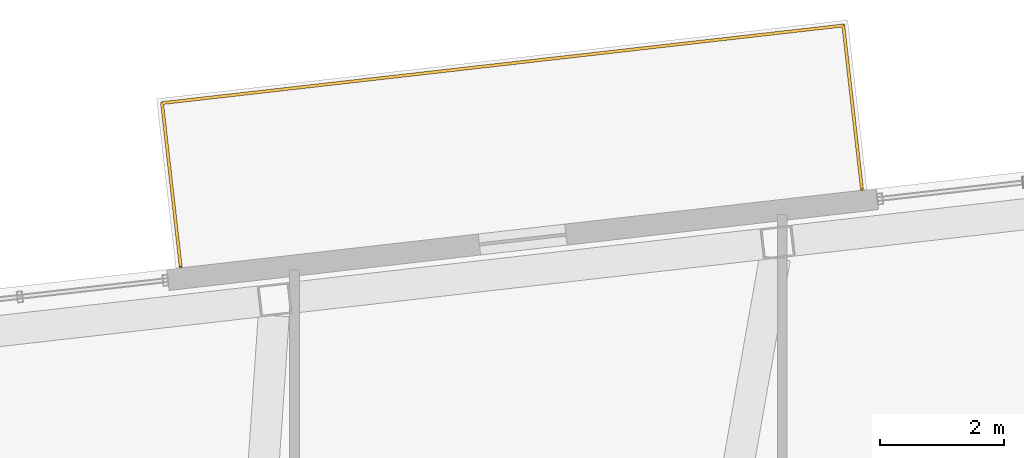
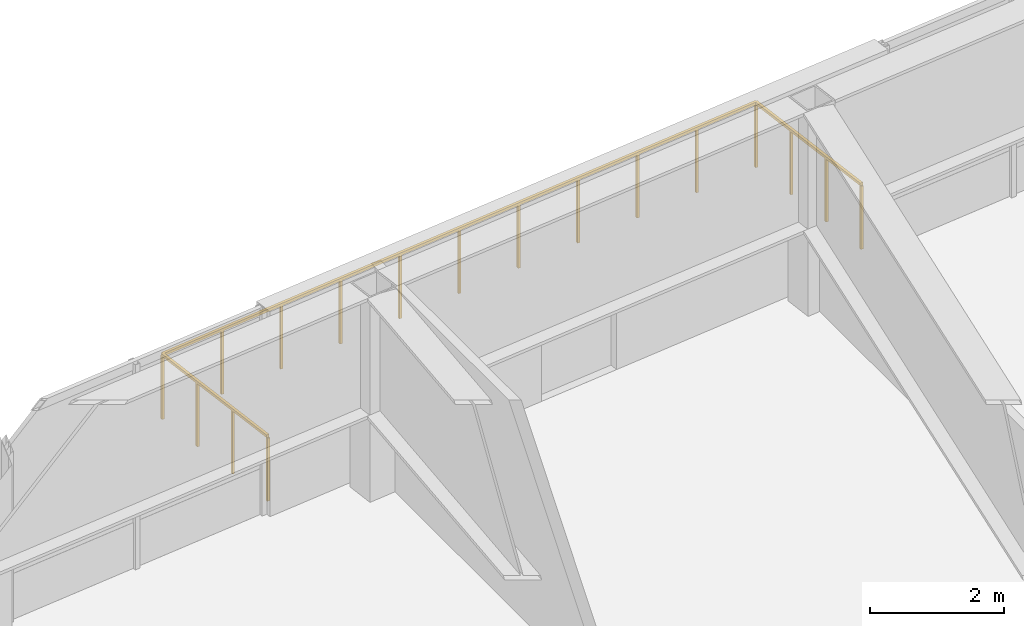
# One storey, part 20 of 20: 1 railing.
"""IFC4 building model written with IfcOpenShell, lengths in metres."""

import ifcopenshell
import ifcopenshell.guid

model = None  # the IFC model being written
_history = None  # IfcOwnerHistory: only IFC2X3 demands one
_inside = {}  # id of a spatial element -> (the spatial element, [elements in it])
_under = {}  # id of a project, library or spatial element -> (it, [spatial elements below it])
_declared = {}  # id of a project -> (the project, [libraries it declares])
_typed = {}  # id of a type object -> (the type object, [elements of that type])
_made_of = {}  # id of a material, layer set ... -> (it, [elements and type objects made of it])


def new_model(schema):
    """Start an empty IFC model of exactly this schema.

    Asked for "IFC4X3", IfcOpenShell would pick the latest addendum, in which some entities
    have other attributes; the version numbers below select the first issue.
    IFC2X3 requires an IfcOwnerHistory on every rooted entity: one is made here for all.
    """
    global model, _history
    if schema == "IFC4X3":
        model = ifcopenshell.file(schema_version=(4, 3, 0, 0))
    else:
        model = ifcopenshell.file(schema=schema)
    _inside.clear()
    _under.clear()
    _declared.clear()
    _typed.clear()
    _made_of.clear()
    _history = None
    if model.schema == "IFC2X3":
        org = make("IfcOrganization", Name="unknown")
        user = make(
            "IfcPersonAndOrganization",
            ThePerson=make("IfcPerson", FamilyName="unknown"),
            TheOrganization=org,
        )
        app = make(
            "IfcApplication",
            ApplicationDeveloper=org,
            Version="unknown",
            ApplicationFullName="unknown",
            ApplicationIdentifier="unknown",
        )
        _history = make(
            "IfcOwnerHistory",
            OwningUser=user,
            OwningApplication=app,
            ChangeAction="ADDED",
            CreationDate=0,
        )
    return model


def make(cls, **values):
    """One entity of the class cls with the attributes given. An attribute that is None is left unset."""
    return model.create_entity(
        cls, **{name: value for name, value in values.items() if value is not None}
    )


def rooted(cls, **values):
    """An entity with a GlobalId (a new one), such as an element, a storey or a relation."""
    return make(cls, GlobalId=ifcopenshell.guid.new(), OwnerHistory=_history, **values)


def si_unit(unit_type, name, prefix=None):
    """IfcSIUnit, for example si_unit("LENGTHUNIT", "METRE", prefix="MILLI")."""
    return make("IfcSIUnit", UnitType=unit_type, Prefix=prefix, Name=name)


def assignment(units):
    """IfcUnitAssignment: the units of a project."""
    return None if units is None else make("IfcUnitAssignment", Units=units)


def point(xyz):
    """IfcCartesianPoint."""
    return None if xyz is None else make("IfcCartesianPoint", Coordinates=xyz)


def direction(xyz):
    """IfcDirection."""
    return None if xyz is None else make("IfcDirection", DirectionRatios=xyz)


def frame(location, z_axis=None, x_axis=None):
    """IfcAxis2Placement3D, a coordinate frame: its origin and axes. An axis left out is left unset."""
    return make(
        "IfcAxis2Placement3D",
        Location=point(location),
        Axis=direction(z_axis),
        RefDirection=direction(x_axis),
    )


def frame_2d(location, x_axis=None):
    """IfcAxis2Placement2D, a coordinate frame in the plane: its origin and x axis."""
    return make(
        "IfcAxis2Placement2D", Location=point(location), RefDirection=direction(x_axis)
    )


def origin():
    """The frame at (0, 0, 0) with its axes left unset."""
    return frame((0.0, 0.0, 0.0))


def origin_2d():
    """The frame at (0, 0) in the plane with its x axis left unset."""
    return frame_2d((0.0, 0.0))


def place(relative_to, where):
    """IfcLocalPlacement: puts the frame where relative to a parent placement (None: the world)."""
    return make(
        "IfcLocalPlacement", PlacementRelTo=relative_to, RelativePlacement=where
    )


def context(
    kind, dimensions, precision=None, world=None, true_north=None, identifier=None
):
    """IfcGeometricRepresentationContext, for example the 3D "Model" context."""
    return make(
        "IfcGeometricRepresentationContext",
        ContextIdentifier=identifier,
        ContextType=kind,
        CoordinateSpaceDimension=dimensions,
        Precision=precision,
        WorldCoordinateSystem=world,
        TrueNorth=true_north,
    )


def subcontext(parent, identifier, kind, view, scale=None):
    """IfcGeometricRepresentationSubContext, for example "Body" below "Model"."""
    return make(
        "IfcGeometricRepresentationSubContext",
        ContextIdentifier=identifier,
        ContextType=kind,
        ParentContext=parent,
        TargetScale=scale,
        TargetView=view,
    )


def project(units=None, contexts=None):
    """IfcProject with its units and contexts."""
    return rooted(
        "IfcProject",
        Name="project",
        RepresentationContexts=contexts,
        UnitsInContext=assignment(units),
    )


def spatial(cls, under=None, at=None, **own):
    """A site, building, storey or space (cls), placed at a placement, below another one or the project."""
    s = rooted(cls, ObjectPlacement=at, **own)
    if under is not None:
        _under.setdefault(under.id(), (under, []))[1].append(s)
    return s


def profile(cls, at=None, kind="AREA", **sizes):
    """A parametric profile (cls). Its sizes go by their IFC names, for example OverallWidth=200.0."""
    return make(cls, ProfileType=kind, Position=at, **sizes)


def rectangle(**sizes):
    """IfcRectangleProfileDef."""
    return profile("IfcRectangleProfileDef", **sizes)


def extrude(swept, where, along, depth):
    """IfcExtrudedAreaSolid: the profile swept, set in the frame where, extruded along a direction by depth."""
    return make(
        "IfcExtrudedAreaSolid",
        SweptArea=swept,
        Position=where,
        ExtrudedDirection=direction(along),
        Depth=depth,
    )


def shape(context_of_items, identifier, shape_type, items):
    """IfcShapeRepresentation: the items that make up one representation, for example the "Body"."""
    return make(
        "IfcShapeRepresentation",
        ContextOfItems=context_of_items,
        RepresentationIdentifier=identifier,
        RepresentationType=shape_type,
        Items=items,
    )


def material(Name=None, Category=None):
    """IfcMaterial."""
    return make("IfcMaterial", Name=Name, Category=Category)


def layer(
    of_material, thickness, ventilated=None, Name=None, Category=None, Priority=None
):
    """IfcMaterialLayer: one layer of a wall or slab, of a material (None: an air gap)."""
    return make(
        "IfcMaterialLayer",
        Material=of_material,
        LayerThickness=thickness,
        IsVentilated=ventilated,
        Name=Name,
        Category=Category,
        Priority=Priority,
    )


def layer_set(layers, Name=None):
    """IfcMaterialLayerSet."""
    return make("IfcMaterialLayerSet", MaterialLayers=layers, LayerSetName=Name)


def made_of(thing, what):
    """Note that an element or type object is made of a material, layer set ...; save() writes the relation."""
    if what is not None:
        _made_of.setdefault(what.id(), (what, []))[1].append(thing)
    return thing


def type_object(cls, material=None, **own):
    """A type object (cls), such as IfcWallType, which elements share."""
    return made_of(rooted(cls, **own), material)


def element(
    cls,
    number,
    at=None,
    inside=None,
    cuts=None,
    type_object=None,
    material=None,
    context=None,
    identifier="Body",
    shape_type=None,
    held_by="IfcProductDefinitionShape",
    body=None,
    shapes=None,
    **own,
):
    """One element of the class cls, such as IfcWall. Its Tag is "e" and its number.

    at: its placement. inside: the storey or other place that contains it. cuts: it is an
    opening in that element (IfcRelVoidsElement). A single representation is given by context,
    identifier, shape_type and body (its items); several are given by shapes. held_by: the class
    of the entity that holds the representations. save() writes the other relations.
    """
    e = rooted(cls, Tag="e%d" % number, ObjectPlacement=at, **own)
    if body is not None:
        shapes = [shape(context, identifier, shape_type, body)]
    if shapes is not None:
        e.Representation = make(held_by, Representations=shapes)
    if inside is not None:
        _inside.setdefault(inside.id(), (inside, []))[1].append(e)
    if cuts is not None:
        rooted(
            "IfcRelVoidsElement", RelatingBuildingElement=cuts, RelatedOpeningElement=e
        )
    if type_object is not None:
        _typed.setdefault(type_object.id(), (type_object, []))[1].append(e)
    return made_of(e, material)


def aggregate(whole, parts):
    """IfcRelAggregates: a whole, such as a stair, and the parts it consists of."""
    return rooted("IfcRelAggregates", RelatingObject=whole, RelatedObjects=parts)


def save(model, path):
    """Write the relations noted so far, then the file.

    IfcRelAggregates (storeys below a building ...), IfcRelContainedInSpatialStructure (elements
    in a storey), IfcRelDefinesByType, IfcRelAssociatesMaterial and IfcRelDeclares: one each for
    every whole, place, type object, material and project.
    """
    for whole, parts in _under.values():
        aggregate(whole, parts)
    for where, things in _inside.values():
        rooted(
            "IfcRelContainedInSpatialStructure",
            RelatedElements=things,
            RelatingStructure=where,
        )
    for kind, things in _typed.values():
        rooted("IfcRelDefinesByType", RelatedObjects=things, RelatingType=kind)
    for what, things in _made_of.values():
        rooted("IfcRelAssociatesMaterial", RelatedObjects=things, RelatingMaterial=what)
    for by, libraries in _declared.values():
        rooted("IfcRelDeclares", RelatingContext=by, RelatedDefinitions=libraries)
    model.write(path)


model = new_model("IFC4")

# Units and contexts
model_context = context("Model", 3, precision=1e-05, world=origin(), true_north=direction((0.0, 1.0)))
body_context = subcontext(model_context, "Body", "Model", "MODEL_VIEW")
ifc_project = project(units=[si_unit("LENGTHUNIT", "METRE"), si_unit("AREAUNIT", "SQUARE_METRE"), si_unit("VOLUMEUNIT", "CUBIC_METRE"), si_unit("PLANEANGLEUNIT", "RADIAN"), si_unit("MASSUNIT", "GRAM", prefix="KILO")], contexts=[model_context])

# Site, building, storey
site_placement = place(None, origin())
site = spatial("IfcSite", under=ifc_project, at=site_placement, CompositionType="ELEMENT")
building_placement = place(site_placement, origin())
building = spatial("IfcBuilding", under=site, at=building_placement, Name="Tavrogorsk Clinical Tower", CompositionType="ELEMENT")
storey_placement = place(building_placement, frame((0.0, 0.0, 214.199951171875)))
storey = spatial("IfcBuildingStorey", under=building, at=storey_placement, Name="L49", CompositionType="ELEMENT", Elevation=214.199951171875)

# Railing
ifc_material = material(Name="Stainless steel AISI 316 and laminated glass balustrade", Category="steel")
ifc_layer = layer(ifc_material, 0.090087890625)
ifc_layer_set = layer_set([ifc_layer], Name="Stainless steel AISI 316 and laminated glass balustrade")
railing_type = type_object("IfcRailingType", Name="TerraceGuardRailing_1200", PredefinedType="BALUSTRADE", material=ifc_layer_set)
railing_placement = place(storey_placement, frame((-10.53564453125, 25.64453125, 0.0)))
element("IfcRailing", 1, at=railing_placement, inside=storey, type_object=railing_type, Name="L49 Spiralling Terrace Balustrade GD-01", PredefinedType="BALUSTRADE", context=body_context, shape_type="SweptSolid", body=[
    extrude(rectangle(XDim=0.048095703125, YDim=0.048095703125, at=origin_2d()), frame((0.0, 0.0, 1.17578125), z_axis=(-0.113221808681, 0.993569736878, 0.0), x_axis=(-0.993569736878, -0.113221808681, 0.0)), (0.0, 0.0, 1.0), 2.650146484375),
    extrude(rectangle(XDim=0.048095703125, YDim=0.048095703125, at=origin_2d()), frame((-0.300048828125, 2.633056640625, 1.17578125), z_axis=(0.993571887876, 0.113202931159, 0.0), x_axis=(-0.113202931159, 0.993571887876, 0.0)), (0.0, 0.0, 1.0), 11.0400390625),
    extrude(rectangle(XDim=0.048095703125, YDim=0.048095703125, at=origin_2d()), frame((10.6689453125, 3.8828125, 1.17578125), z_axis=(0.113221808681, -0.993569736878, 0.0), x_axis=(0.993569736878, 0.113221808681, 0.0)), (0.0, 0.0, 1.0), 2.650146484375),
    extrude(rectangle(XDim=0.0419921875, YDim=0.0419921875, at=origin_2d()), origin(), (0.0, 0.0, 1.0), 1.15185546875),
    extrude(rectangle(XDim=0.0419921875, YDim=0.0419921875, at=origin_2d()), frame((-0.10009765625, 0.877685546875, 0.0)), (0.0, 0.0, 1.0), 1.15185546875),
    extrude(rectangle(XDim=0.0419921875, YDim=0.0419921875, at=origin_2d()), frame((-0.199951171875, 1.75537109375, 0.0)), (0.0, 0.0, 1.0), 1.15185546875),
    extrude(rectangle(XDim=0.0419921875, YDim=0.0419921875, at=origin_2d()), frame((-0.300048828125, 2.633056640625, 0.0)), (0.0, 0.0, 1.0), 1.15185546875),
    extrude(rectangle(XDim=0.0419921875, YDim=0.0419921875, at=origin_2d()), frame((0.796875, 2.758056640625, 0.0)), (0.0, 0.0, 1.0), 1.15185546875),
    extrude(rectangle(XDim=0.0419921875, YDim=0.0419921875, at=origin_2d()), frame((1.893798828125, 2.883056640625, 0.0)), (0.0, 0.0, 1.0), 1.15185546875),
    extrude(rectangle(XDim=0.0419921875, YDim=0.0419921875, at=origin_2d()), frame((2.99072265625, 3.008056640625, 0.0)), (0.0, 0.0, 1.0), 1.15185546875),
    extrude(rectangle(XDim=0.0419921875, YDim=0.0419921875, at=origin_2d()), frame((4.087646484375, 3.133056640625, 0.0)), (0.0, 0.0, 1.0), 1.15185546875),
    extrude(rectangle(XDim=0.0419921875, YDim=0.0419921875, at=origin_2d()), frame((5.1845703125, 3.2578125, 0.0)), (0.0, 0.0, 1.0), 1.15185546875),
    extrude(rectangle(XDim=0.0419921875, YDim=0.0419921875, at=origin_2d()), frame((6.28125, 3.3828125, 0.0)), (0.0, 0.0, 1.0), 1.15185546875),
    extrude(rectangle(XDim=0.0419921875, YDim=0.0419921875, at=origin_2d()), frame((7.378173828125, 3.5078125, 0.0)), (0.0, 0.0, 1.0), 1.15185546875),
    extrude(rectangle(XDim=0.0419921875, YDim=0.0419921875, at=origin_2d()), frame((8.47509765625, 3.6328125, 0.0)), (0.0, 0.0, 1.0), 1.15185546875),
    extrude(rectangle(XDim=0.0419921875, YDim=0.0419921875, at=origin_2d()), frame((9.572021484375, 3.7578125, 0.0)), (0.0, 0.0, 1.0), 1.15185546875),
    extrude(rectangle(XDim=0.0419921875, YDim=0.0419921875, at=origin_2d()), frame((10.6689453125, 3.8828125, 0.0)), (0.0, 0.0, 1.0), 1.15185546875),
    extrude(rectangle(XDim=0.0419921875, YDim=0.0419921875, at=origin_2d()), frame((10.76904296875, 3.005126953125, 0.0)), (0.0, 0.0, 1.0), 1.15185546875),
    extrude(rectangle(XDim=0.0419921875, YDim=0.0419921875, at=origin_2d()), frame((10.868896484375, 2.12744140625, 0.0)), (0.0, 0.0, 1.0), 1.15185546875),
    extrude(rectangle(XDim=0.0419921875, YDim=0.0419921875, at=origin_2d()), frame((10.968994140625, 1.249755859375, 0.0)), (0.0, 0.0, 1.0), 1.15185546875),
])

save(model, "model.ifc")
